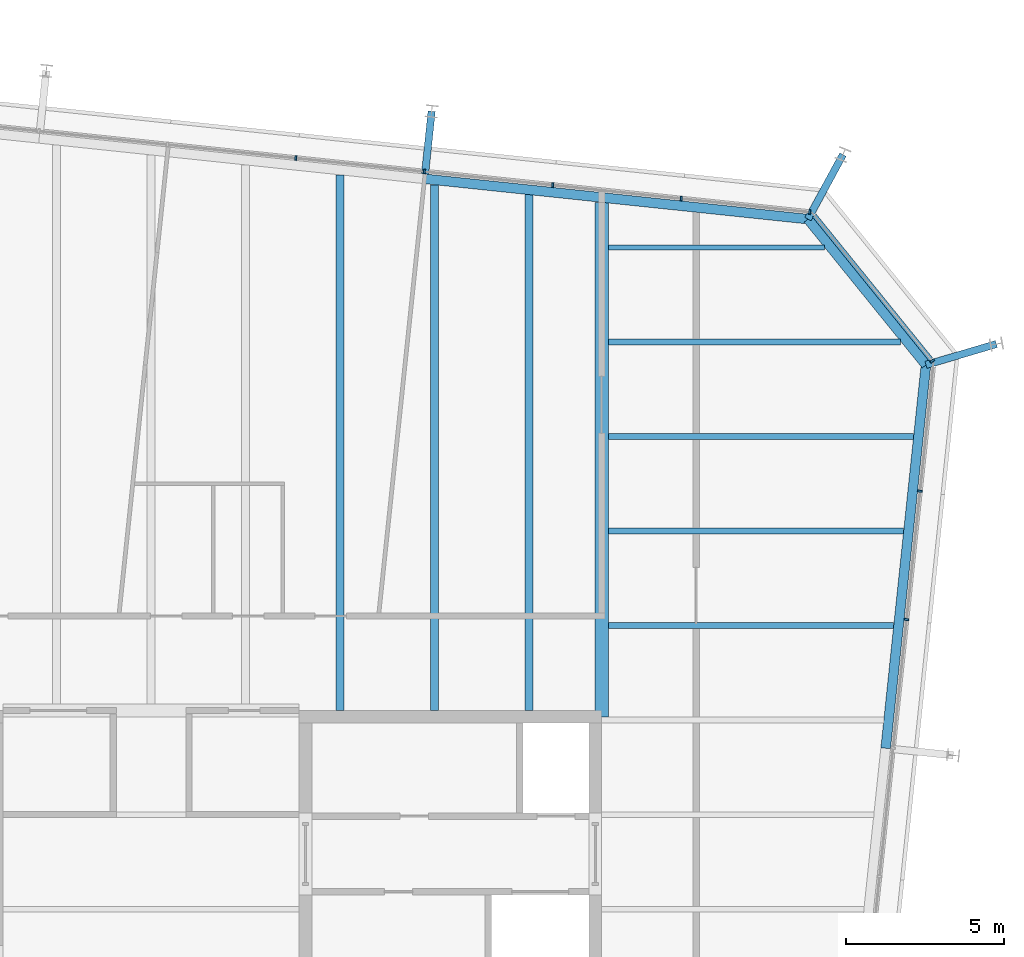
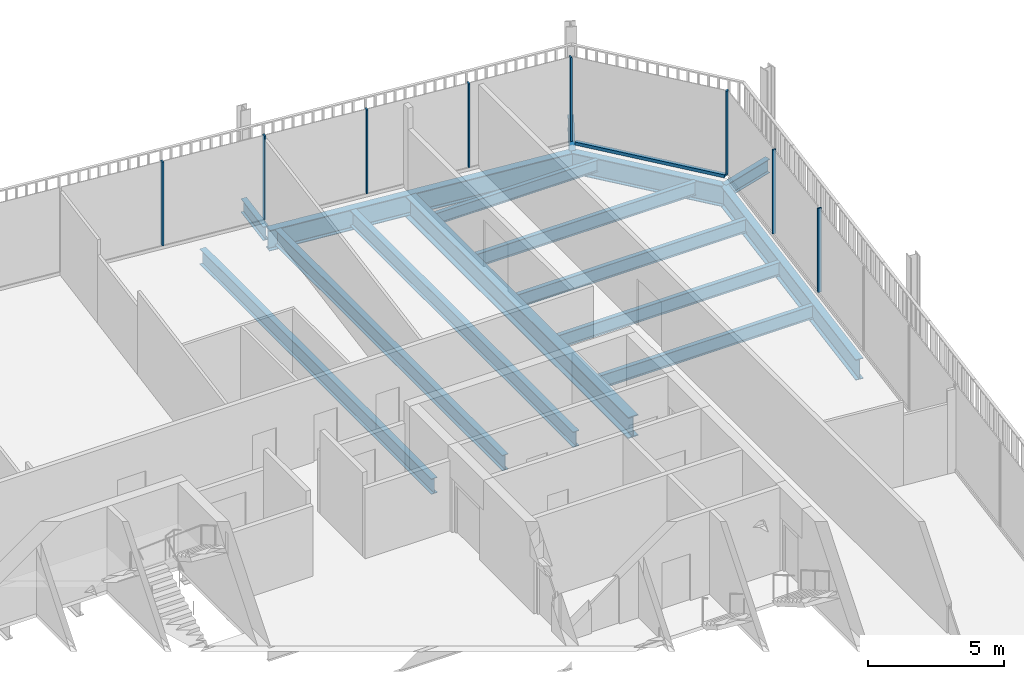
# One storey, part 14 of 20: 15 beams, 9 members, 3 elements without a shape of their own.
"""IFC4 building model written with IfcOpenShell, lengths in metres."""

import ifcopenshell
import ifcopenshell.guid

model = None  # the IFC model being written
_history = None  # IfcOwnerHistory: only IFC2X3 demands one
_inside = {}  # id of a spatial element -> (the spatial element, [elements in it])
_under = {}  # id of a project, library or spatial element -> (it, [spatial elements below it])
_declared = {}  # id of a project -> (the project, [libraries it declares])
_typed = {}  # id of a type object -> (the type object, [elements of that type])
_made_of = {}  # id of a material, layer set ... -> (it, [elements and type objects made of it])


def new_model(schema):
    """Start an empty IFC model of exactly this schema.

    Asked for "IFC4X3", IfcOpenShell would pick the latest addendum, in which some entities
    have other attributes; the version numbers below select the first issue.
    IFC2X3 requires an IfcOwnerHistory on every rooted entity: one is made here for all.
    """
    global model, _history
    if schema == "IFC4X3":
        model = ifcopenshell.file(schema_version=(4, 3, 0, 0))
    else:
        model = ifcopenshell.file(schema=schema)
    _inside.clear()
    _under.clear()
    _declared.clear()
    _typed.clear()
    _made_of.clear()
    _history = None
    if model.schema == "IFC2X3":
        org = make("IfcOrganization", Name="unknown")
        user = make(
            "IfcPersonAndOrganization",
            ThePerson=make("IfcPerson", FamilyName="unknown"),
            TheOrganization=org,
        )
        app = make(
            "IfcApplication",
            ApplicationDeveloper=org,
            Version="unknown",
            ApplicationFullName="unknown",
            ApplicationIdentifier="unknown",
        )
        _history = make(
            "IfcOwnerHistory",
            OwningUser=user,
            OwningApplication=app,
            ChangeAction="ADDED",
            CreationDate=0,
        )
    return model


def make(cls, **values):
    """One entity of the class cls with the attributes given. An attribute that is None is left unset."""
    return model.create_entity(
        cls, **{name: value for name, value in values.items() if value is not None}
    )


def rooted(cls, **values):
    """An entity with a GlobalId (a new one), such as an element, a storey or a relation."""
    return make(cls, GlobalId=ifcopenshell.guid.new(), OwnerHistory=_history, **values)


def si_unit(unit_type, name, prefix=None):
    """IfcSIUnit, for example si_unit("LENGTHUNIT", "METRE", prefix="MILLI")."""
    return make("IfcSIUnit", UnitType=unit_type, Prefix=prefix, Name=name)


def assignment(units):
    """IfcUnitAssignment: the units of a project."""
    return None if units is None else make("IfcUnitAssignment", Units=units)


def point(xyz):
    """IfcCartesianPoint."""
    return None if xyz is None else make("IfcCartesianPoint", Coordinates=xyz)


def direction(xyz):
    """IfcDirection."""
    return None if xyz is None else make("IfcDirection", DirectionRatios=xyz)


def frame(location, z_axis=None, x_axis=None):
    """IfcAxis2Placement3D, a coordinate frame: its origin and axes. An axis left out is left unset."""
    return make(
        "IfcAxis2Placement3D",
        Location=point(location),
        Axis=direction(z_axis),
        RefDirection=direction(x_axis),
    )


def frame_2d(location, x_axis=None):
    """IfcAxis2Placement2D, a coordinate frame in the plane: its origin and x axis."""
    return make(
        "IfcAxis2Placement2D", Location=point(location), RefDirection=direction(x_axis)
    )


def origin():
    """The frame at (0, 0, 0) with its axes left unset."""
    return frame((0.0, 0.0, 0.0))


def origin_2d():
    """The frame at (0, 0) in the plane with its x axis left unset."""
    return frame_2d((0.0, 0.0))


def place(relative_to, where):
    """IfcLocalPlacement: puts the frame where relative to a parent placement (None: the world)."""
    return make(
        "IfcLocalPlacement", PlacementRelTo=relative_to, RelativePlacement=where
    )


def context(
    kind, dimensions, precision=None, world=None, true_north=None, identifier=None
):
    """IfcGeometricRepresentationContext, for example the 3D "Model" context."""
    return make(
        "IfcGeometricRepresentationContext",
        ContextIdentifier=identifier,
        ContextType=kind,
        CoordinateSpaceDimension=dimensions,
        Precision=precision,
        WorldCoordinateSystem=world,
        TrueNorth=true_north,
    )


def subcontext(parent, identifier, kind, view, scale=None):
    """IfcGeometricRepresentationSubContext, for example "Body" below "Model"."""
    return make(
        "IfcGeometricRepresentationSubContext",
        ContextIdentifier=identifier,
        ContextType=kind,
        ParentContext=parent,
        TargetScale=scale,
        TargetView=view,
    )


def project(units=None, contexts=None):
    """IfcProject with its units and contexts."""
    return rooted(
        "IfcProject",
        Name="project",
        RepresentationContexts=contexts,
        UnitsInContext=assignment(units),
    )


def spatial(cls, under=None, at=None, **own):
    """A site, building, storey or space (cls), placed at a placement, below another one or the project."""
    s = rooted(cls, ObjectPlacement=at, **own)
    if under is not None:
        _under.setdefault(under.id(), (under, []))[1].append(s)
    return s


def profile(cls, at=None, kind="AREA", **sizes):
    """A parametric profile (cls). Its sizes go by their IFC names, for example OverallWidth=200.0."""
    return make(cls, ProfileType=kind, Position=at, **sizes)


def rectangle(**sizes):
    """IfcRectangleProfileDef."""
    return profile("IfcRectangleProfileDef", **sizes)


def i_section(**sizes):
    """IfcIShapeProfileDef."""
    return profile("IfcIShapeProfileDef", **sizes)


def extrude(swept, where, along, depth):
    """IfcExtrudedAreaSolid: the profile swept, set in the frame where, extruded along a direction by depth."""
    return make(
        "IfcExtrudedAreaSolid",
        SweptArea=swept,
        Position=where,
        ExtrudedDirection=direction(along),
        Depth=depth,
    )


def shape(context_of_items, identifier, shape_type, items):
    """IfcShapeRepresentation: the items that make up one representation, for example the "Body"."""
    return make(
        "IfcShapeRepresentation",
        ContextOfItems=context_of_items,
        RepresentationIdentifier=identifier,
        RepresentationType=shape_type,
        Items=items,
    )


def material(Name=None, Category=None):
    """IfcMaterial."""
    return make("IfcMaterial", Name=Name, Category=Category)


def layer(
    of_material, thickness, ventilated=None, Name=None, Category=None, Priority=None
):
    """IfcMaterialLayer: one layer of a wall or slab, of a material (None: an air gap)."""
    return make(
        "IfcMaterialLayer",
        Material=of_material,
        LayerThickness=thickness,
        IsVentilated=ventilated,
        Name=Name,
        Category=Category,
        Priority=Priority,
    )


def layer_set(layers, Name=None):
    """IfcMaterialLayerSet."""
    return make("IfcMaterialLayerSet", MaterialLayers=layers, LayerSetName=Name)


def material_profile(
    of_material, cross_section, Name=None, Category=None, Priority=None
):
    """IfcMaterialProfile: a cross section and its material."""
    return make(
        "IfcMaterialProfile",
        Name=Name,
        Material=of_material,
        Profile=cross_section,
        Priority=Priority,
        Category=Category,
    )


def profile_set(profiles, Name=None, composite=None):
    """IfcMaterialProfileSet."""
    return make(
        "IfcMaterialProfileSet",
        Name=Name,
        MaterialProfiles=profiles,
        CompositeProfile=composite,
    )


def made_of(thing, what):
    """Note that an element or type object is made of a material, layer set ...; save() writes the relation."""
    if what is not None:
        _made_of.setdefault(what.id(), (what, []))[1].append(thing)
    return thing


def type_object(cls, material=None, **own):
    """A type object (cls), such as IfcWallType, which elements share."""
    return made_of(rooted(cls, **own), material)


def element(
    cls,
    number,
    at=None,
    inside=None,
    cuts=None,
    type_object=None,
    material=None,
    context=None,
    identifier="Body",
    shape_type=None,
    held_by="IfcProductDefinitionShape",
    body=None,
    shapes=None,
    **own,
):
    """One element of the class cls, such as IfcWall. Its Tag is "e" and its number.

    at: its placement. inside: the storey or other place that contains it. cuts: it is an
    opening in that element (IfcRelVoidsElement). A single representation is given by context,
    identifier, shape_type and body (its items); several are given by shapes. held_by: the class
    of the entity that holds the representations. save() writes the other relations.
    """
    e = rooted(cls, Tag="e%d" % number, ObjectPlacement=at, **own)
    if body is not None:
        shapes = [shape(context, identifier, shape_type, body)]
    if shapes is not None:
        e.Representation = make(held_by, Representations=shapes)
    if inside is not None:
        _inside.setdefault(inside.id(), (inside, []))[1].append(e)
    if cuts is not None:
        rooted(
            "IfcRelVoidsElement", RelatingBuildingElement=cuts, RelatedOpeningElement=e
        )
    if type_object is not None:
        _typed.setdefault(type_object.id(), (type_object, []))[1].append(e)
    return made_of(e, material)


def aggregate(whole, parts):
    """IfcRelAggregates: a whole, such as a stair, and the parts it consists of."""
    return rooted("IfcRelAggregates", RelatingObject=whole, RelatedObjects=parts)


def save(model, path):
    """Write the relations noted so far, then the file.

    IfcRelAggregates (storeys below a building ...), IfcRelContainedInSpatialStructure (elements
    in a storey), IfcRelDefinesByType, IfcRelAssociatesMaterial and IfcRelDeclares: one each for
    every whole, place, type object, material and project.
    """
    for whole, parts in _under.values():
        aggregate(whole, parts)
    for where, things in _inside.values():
        rooted(
            "IfcRelContainedInSpatialStructure",
            RelatedElements=things,
            RelatingStructure=where,
        )
    for kind, things in _typed.values():
        rooted("IfcRelDefinesByType", RelatedObjects=things, RelatingType=kind)
    for what, things in _made_of.values():
        rooted("IfcRelAssociatesMaterial", RelatedObjects=things, RelatingMaterial=what)
    for by, libraries in _declared.values():
        rooted("IfcRelDeclares", RelatingContext=by, RelatedDefinitions=libraries)
    model.write(path)


model = new_model("IFC4")

# Units and contexts
model_context = context("Model", 3, precision=1e-05, world=origin(), true_north=direction((0.0, 1.0)))
body_context = subcontext(model_context, "Body", "Model", "MODEL_VIEW")
ifc_project = project(units=[si_unit("LENGTHUNIT", "METRE"), si_unit("AREAUNIT", "SQUARE_METRE"), si_unit("VOLUMEUNIT", "CUBIC_METRE"), si_unit("PLANEANGLEUNIT", "RADIAN"), si_unit("MASSUNIT", "GRAM", prefix="KILO")], contexts=[model_context])

# Site, building, storey
site_placement = place(None, origin())
site = spatial("IfcSite", under=ifc_project, at=site_placement, CompositionType="ELEMENT")
building_placement = place(site_placement, origin())
building = spatial("IfcBuilding", under=site, at=building_placement, Name="Millrace Tower", CompositionType="ELEMENT")
storey_placement = place(building_placement, frame((0.0, 0.0, 279.89990234375)))
storey = spatial("IfcBuildingStorey", under=building, at=storey_placement, Name="L64", CompositionType="ELEMENT", Elevation=279.89990234375)

# Curtain wall, members
ifc_material_1 = material(Name="Aluminium and glass", Category="aluminium")
ifc_layer = layer(ifc_material_1, 0.14990234375)
ifc_layer_set = layer_set([ifc_layer], Name="Aluminium and glass")
curtain_wall_type = type_object("IfcCurtainWallType", Name="CW-1 office vision curtain wall", PredefinedType="NOTDEFINED", material=ifc_layer_set)
placement = place(storey_placement, origin())
curtain_wall_1 = element("IfcCurtainWall", 1, at=placement, inside=storey, type_object=curtain_wall_type, Name="Curtain wall E-F04 L64", PredefinedType="NOTDEFINED")
ifc_material_2 = material(Name="Aluminium", Category="aluminium")
ifc_material_profile_1 = material_profile(ifc_material_2, rectangle(XDim=0.06494140625, YDim=0.14990234375, at=origin_2d()))
ifc_profile_set_1 = profile_set([ifc_material_profile_1], Name="Aluminium")
member_type_1 = type_object("IfcMemberType", Name="CW-1 office vision curtain wall mullion", PredefinedType="MULLION", material=ifc_profile_set_1)
member_1_placement = place(storey_placement, frame((23.974853515625, 12.1904296875, 0.14013671875), z_axis=(0.0, 0.0, 1.0), x_axis=(0.104528455196, 0.994521896217, 0.0)))
member_1 = element("IfcMember", 2, at=member_1_placement, type_object=member_type_1, Name="CW1 mullion E-F04.8", PredefinedType="MULLION", context=body_context, shape_type="SweptSolid", body=[
    extrude(rectangle(XDim=0.06494140625, YDim=0.14990234375, at=origin_2d()), origin(), (0.0, 0.0, 1.0), 3.760009765625),
])
member_2_placement = place(storey_placement, frame((24.4033203125, 16.267822265625, 0.14013671875), z_axis=(0.0, 0.0, 1.0), x_axis=(0.104528455196, 0.994521896217, 0.0)))
member_2 = element("IfcMember", 3, at=member_2_placement, type_object=member_type_1, Name="CW1 mullion E-F04.9", PredefinedType="MULLION", context=body_context, shape_type="SweptSolid", body=[
    extrude(rectangle(XDim=0.06494140625, YDim=0.14990234375, at=origin_2d()), origin(), (0.0, 0.0, 1.0), 3.760009765625),
])
aggregate(curtain_wall_1, [member_1, member_2])

# Curtain wall, member
curtain_wall_2 = element("IfcCurtainWall", 4, at=placement, inside=storey, type_object=curtain_wall_type, Name="Curtain wall E-F05 L64", PredefinedType="NOTDEFINED")
member_3_placement = place(storey_placement, frame((24.791748046875, 20.393310546875, 0.14013671875), z_axis=(0.0, 0.0, 1.0), x_axis=(-0.629320278945, 0.777146052237, 0.0)))
member_3 = element("IfcMember", 5, at=member_3_placement, type_object=member_type_1, Name="CW1 mullion E-F05.1", PredefinedType="MULLION", context=body_context, shape_type="SweptSolid", body=[
    extrude(rectangle(XDim=0.06494140625, YDim=0.14990234375, at=origin_2d()), origin(), (0.0, 0.0, 1.0), 3.760009765625),
])

# Curtain wall, members
curtain_wall_3 = element("IfcCurtainWall", 6, at=placement, inside=storey, type_object=curtain_wall_type, Name="Curtain wall E-F06 L64", PredefinedType="NOTDEFINED")
member_4_placement = place(storey_placement, frame((20.902587890625, 25.124755859375, 0.14013671875), z_axis=(0.0, 0.0, 1.0), x_axis=(-0.994521896217, 0.104528455196, 0.0)))
member_4 = element("IfcMember", 7, at=member_4_placement, type_object=member_type_1, Name="CW1 mullion E-F06.1", PredefinedType="MULLION", context=body_context, shape_type="SweptSolid", body=[
    extrude(rectangle(XDim=0.06494140625, YDim=0.14990234375, at=origin_2d()), origin(), (0.0, 0.0, 1.0), 3.760009765625),
])
member_5_placement = place(storey_placement, frame((16.824951171875, 25.553466796875, 0.14013671875), z_axis=(0.0, 0.0, 1.0), x_axis=(-0.994521896217, 0.104528455196, 0.0)))
member_5 = element("IfcMember", 8, at=member_5_placement, type_object=member_type_1, Name="CW1 mullion E-F06.2", PredefinedType="MULLION", context=body_context, shape_type="SweptSolid", body=[
    extrude(rectangle(XDim=0.06494140625, YDim=0.14990234375, at=origin_2d()), origin(), (0.0, 0.0, 1.0), 3.760009765625),
])
member_6_placement = place(storey_placement, frame((12.747314453125, 25.98193359375, 0.14013671875), z_axis=(0.0, 0.0, 1.0), x_axis=(-0.994521896217, 0.104528455196, 0.0)))
member_6 = element("IfcMember", 9, at=member_6_placement, type_object=member_type_1, Name="CW1 mullion E-F06.3", PredefinedType="MULLION", context=body_context, shape_type="SweptSolid", body=[
    extrude(rectangle(XDim=0.06494140625, YDim=0.14990234375, at=origin_2d()), origin(), (0.0, 0.0, 1.0), 3.760009765625),
])
member_7_placement = place(storey_placement, frame((8.669921875, 26.410400390625, 0.14013671875), z_axis=(0.0, 0.0, 1.0), x_axis=(-0.994521896217, 0.104528455196, 0.0)))
member_7 = element("IfcMember", 10, at=member_7_placement, type_object=member_type_1, Name="CW1 mullion E-F06.4", PredefinedType="MULLION", context=body_context, shape_type="SweptSolid", body=[
    extrude(rectangle(XDim=0.06494140625, YDim=0.14990234375, at=origin_2d()), origin(), (0.0, 0.0, 1.0), 3.760009765625),
])
member_8_placement = place(storey_placement, frame((4.59228515625, 26.839111328125, 0.14013671875), z_axis=(0.0, 0.0, 1.0), x_axis=(-0.994521896217, 0.104528455196, 0.0)))
member_8 = element("IfcMember", 11, at=member_8_placement, type_object=member_type_1, Name="CW1 mullion E-F06.5", PredefinedType="MULLION", context=body_context, shape_type="SweptSolid", body=[
    extrude(rectangle(XDim=0.06494140625, YDim=0.14990234375, at=origin_2d()), origin(), (0.0, 0.0, 1.0), 3.760009765625),
])
aggregate(curtain_wall_3, [member_4, member_5, member_6, member_7, member_8])

# Member
ifc_material_3 = material(Name="Aluminium", Category="aluminium")
ifc_material_profile_2 = material_profile(ifc_material_3, rectangle(XDim=0.14990234375, YDim=0.139892578125, at=origin_2d()))
ifc_profile_set_2 = profile_set([ifc_material_profile_2], Name="Aluminium")
member_type_2 = type_object("IfcMemberType", Name="CW-1 office vision curtain wall transom", PredefinedType="USERDEFINED", material=ifc_profile_set_2)
member_9_placement = place(storey_placement, frame((24.749267578125, 20.44580078125, 0.070068359375), z_axis=(-0.629321221277, 0.777145289151, 0.0), x_axis=(-0.777145289151, -0.629321221277, 0.0)))
member_9 = element("IfcMember", 12, at=member_9_placement, type_object=member_type_2, Name="CW1 transom E-F05.1", ObjectType="TRANSOM", PredefinedType="USERDEFINED", context=body_context, shape_type="SweptSolid", body=[
    extrude(rectangle(XDim=0.14990234375, YDim=0.139892578125, at=origin_2d()), origin(), (0.0, 0.0, 1.0), 5.881103515625),
])

aggregate(curtain_wall_2, [member_3, member_9])

# Beams
ifc_material_4 = material(Name="Steel ASTM A992 Grade 50", Category="steel")
ifc_material_profile_3 = material_profile(ifc_material_4, i_section(OverallWidth=0.1650390625, OverallDepth=0.52587890625, WebThickness=0.0087890625, FlangeThickness=0.011474609375, FilletRadius=0.0126953125, at=origin_2d()))
ifc_profile_set_3 = profile_set([ifc_material_profile_3], Name="Steel ASTM A992 Grade 50")
beam_type_1 = type_object("IfcBeamType", Name="Floor beam W21x44", PredefinedType="JOIST", material=ifc_profile_set_3)
beam_1_placement = place(storey_placement, frame((14.509521484375, 24.0, -0.4228515625), z_axis=(1.0, 0.0, 0.0), x_axis=(0.0, 1.0, 0.0)))
element("IfcBeam", 13, at=beam_1_placement, inside=storey, type_object=beam_type_1, Name="BM-E-L64-S1-S034", PredefinedType="JOIST", context=body_context, shape_type="SweptSolid", body=[
    extrude(i_section(OverallWidth=0.1650390625, OverallDepth=0.52587890625, WebThickness=0.0087890625, FlangeThickness=0.011474609375, FilletRadius=0.0126953125, at=origin_2d()), origin(), (0.0, 0.0, 1.0), 6.861572265625),
])
ifc_material_5 = material(Name="Steel ASTM A992 Grade 50", Category="steel")
ifc_material_profile_4 = material_profile(ifc_material_5, i_section(OverallWidth=0.177978515625, OverallDepth=0.599365234375, WebThickness=0.010009765625, FlangeThickness=0.012939453125, FilletRadius=0.012939453125, at=origin_2d()))
ifc_profile_set_4 = profile_set([ifc_material_profile_4], Name="Steel ASTM A992 Grade 50")
beam_type_2 = type_object("IfcBeamType", Name="Floor beam W24x55", PredefinedType="JOIST", material=ifc_profile_set_4)
beam_2_placement = place(storey_placement, frame((14.509521484375, 12.0, -0.459716796875), z_axis=(1.0, 0.0, 0.0), x_axis=(0.0, 1.0, 0.0)))
element("IfcBeam", 14, at=beam_2_placement, inside=storey, type_object=beam_type_2, Name="BM-E-L64-S1-S026", PredefinedType="JOIST", context=body_context, shape_type="SweptSolid", body=[
    extrude(i_section(OverallWidth=0.177978515625, OverallDepth=0.599365234375, WebThickness=0.010009765625, FlangeThickness=0.012939453125, FilletRadius=0.012939453125, at=origin_2d()), origin(), (0.0, 0.0, 1.0), 9.060791015625),
])
beam_3_placement = place(storey_placement, frame((14.509521484375, 15.0, -0.459716796875), z_axis=(1.0, 0.0, 0.0), x_axis=(0.0, 1.0, 0.0)))
element("IfcBeam", 15, at=beam_3_placement, inside=storey, type_object=beam_type_2, Name="BM-E-L64-S1-S028", PredefinedType="JOIST", context=body_context, shape_type="SweptSolid", body=[
    extrude(i_section(OverallWidth=0.177978515625, OverallDepth=0.599365234375, WebThickness=0.010009765625, FlangeThickness=0.012939453125, FilletRadius=0.012939453125, at=origin_2d()), origin(), (0.0, 0.0, 1.0), 9.376220703125),
])
beam_4_placement = place(storey_placement, frame((14.509521484375, 18.0, -0.459716796875), z_axis=(1.0, 0.0, 0.0), x_axis=(0.0, 1.0, 0.0)))
element("IfcBeam", 16, at=beam_4_placement, inside=storey, type_object=beam_type_2, Name="BM-E-L64-S1-S030", PredefinedType="JOIST", context=body_context, shape_type="SweptSolid", body=[
    extrude(i_section(OverallWidth=0.177978515625, OverallDepth=0.599365234375, WebThickness=0.010009765625, FlangeThickness=0.012939453125, FilletRadius=0.012939453125, at=origin_2d()), origin(), (0.0, 0.0, 1.0), 9.69140625),
])
beam_5_placement = place(storey_placement, frame((14.509521484375, 21.0, -0.459716796875), z_axis=(1.0, 0.0, 0.0), x_axis=(0.0, 1.0, 0.0)))
element("IfcBeam", 17, at=beam_5_placement, inside=storey, type_object=beam_type_2, Name="BM-E-L64-S1-S032", PredefinedType="JOIST", context=body_context, shape_type="SweptSolid", body=[
    extrude(i_section(OverallWidth=0.177978515625, OverallDepth=0.599365234375, WebThickness=0.010009765625, FlangeThickness=0.012939453125, FilletRadius=0.012939453125, at=origin_2d()), origin(), (0.0, 0.0, 1.0), 9.282958984375),
])
ifc_material_6 = material(Name="Steel ASTM A992 Grade 50", Category="steel")
ifc_material_profile_5 = material_profile(ifc_material_6, i_section(OverallWidth=0.256591796875, OverallDepth=0.693359375, WebThickness=0.014404296875, FlangeThickness=0.023681640625, FilletRadius=0.01513671875, at=origin_2d()))
ifc_profile_set_5 = profile_set([ifc_material_profile_5], Name="Steel ASTM A992 Grade 50")
beam_type_3 = type_object("IfcBeamType", Name="Floor beam W27x114", PredefinedType="JOIST", material=ifc_profile_set_5)
beam_6_placement = place(storey_placement, frame((6.0, 9.300048828125, -0.506591796875), z_axis=(0.0, 1.0, 0.0), x_axis=(-1.0, 0.0, 0.0)))
element("IfcBeam", 18, at=beam_6_placement, inside=storey, type_object=beam_type_3, Name="BM-E-L64-S1-S048", PredefinedType="JOIST", context=body_context, shape_type="SweptSolid", body=[
    extrude(i_section(OverallWidth=0.256591796875, OverallDepth=0.693359375, WebThickness=0.014404296875, FlangeThickness=0.023681640625, FilletRadius=0.01513671875, at=origin_2d()), origin(), (0.0, 0.0, 1.0), 17.006591796875),
])
beam_7_placement = place(storey_placement, frame((9.0, 9.300048828125, -0.506591796875), z_axis=(0.0, 1.0, 0.0), x_axis=(-1.0, 0.0, 0.0)))
element("IfcBeam", 19, at=beam_7_placement, inside=storey, type_object=beam_type_3, Name="BM-E-L64-S1-S050", PredefinedType="JOIST", context=body_context, shape_type="SweptSolid", body=[
    extrude(i_section(OverallWidth=0.256591796875, OverallDepth=0.693359375, WebThickness=0.014404296875, FlangeThickness=0.023681640625, FilletRadius=0.01513671875, at=origin_2d()), origin(), (0.0, 0.0, 1.0), 16.69140625),
])
beam_8_placement = place(storey_placement, frame((12.0, 9.300048828125, -0.506591796875), z_axis=(0.0, 1.0, 0.0), x_axis=(-1.0, 0.0, 0.0)))
element("IfcBeam", 20, at=beam_8_placement, inside=storey, type_object=beam_type_3, Name="BM-E-L64-S1-S052", PredefinedType="JOIST", context=body_context, shape_type="SweptSolid", body=[
    extrude(i_section(OverallWidth=0.256591796875, OverallDepth=0.693359375, WebThickness=0.014404296875, FlangeThickness=0.023681640625, FilletRadius=0.01513671875, at=origin_2d()), origin(), (0.0, 0.0, 1.0), 16.3759765625),
])
ifc_material_7 = material(Name="Steel ASTM A992 Grade 50", Category="steel")
ifc_material_profile_6 = material_profile(ifc_material_7, i_section(OverallWidth=0.424072265625, OverallDepth=0.947509765625, WebThickness=0.02392578125, FlangeThickness=0.042724609375, FilletRadius=0.024169921875, at=origin_2d()))
ifc_profile_set_6 = profile_set([ifc_material_profile_6], Name="Steel ASTM A992 Grade 50")
beam_type_4 = type_object("IfcBeamType", Name="Girder medium span W36x302", PredefinedType="BEAM", material=ifc_profile_set_6)
beam_9_placement = place(storey_placement, frame((14.300048828125, 9.092041015625, -0.633544921875), z_axis=(0.0, 1.0, 0.0), x_axis=(-1.0, 0.0, 0.0)))
element("IfcBeam", 21, at=beam_9_placement, inside=storey, type_object=beam_type_4, Name="BM-E-L64-S1-G056", PredefinedType="BEAM", context=body_context, shape_type="SweptSolid", body=[
    extrude(i_section(OverallWidth=0.424072265625, OverallDepth=0.947509765625, WebThickness=0.02392578125, FlangeThickness=0.042724609375, FilletRadius=0.024169921875, at=origin_2d()), origin(), (0.0, 0.0, 1.0), 16.34228515625),
])
ifc_material_8 = material(Name="Steel ASTM A992 Grade 50", Category="steel")
ifc_material_profile_7 = material_profile(ifc_material_8, i_section(OverallWidth=0.23046875, OverallDepth=0.6171875, WebThickness=0.01318359375, FlangeThickness=0.022216796875, FilletRadius=0.012939453125, at=origin_2d()))
ifc_profile_set_7 = profile_set([ifc_material_profile_7], Name="Steel ASTM A992 Grade 50")
beam_type_5 = type_object("IfcBeamType", Name="Link beam W24x94", PredefinedType="BEAM", material=ifc_profile_set_7)
beam_10_placement = place(storey_placement, frame((8.6943359375, 26.33251953125, -0.468505859375), z_axis=(0.104494148666, 0.99452550138, 0.0), x_axis=(-0.99452550138, 0.104494148666, 0.0)))
element("IfcBeam", 22, at=beam_10_placement, inside=storey, type_object=beam_type_5, Name="LNK-E-L64-S1-07", PredefinedType="BEAM", context=body_context, shape_type="SweptSolid", body=[
    extrude(i_section(OverallWidth=0.23046875, OverallDepth=0.6171875, WebThickness=0.01318359375, FlangeThickness=0.022216796875, FilletRadius=0.012939453125, at=origin_2d()), origin(), (0.0, 0.0, 1.0), 2.0),
])
for number, where, z_axis, x_axis, name in (
    (23, (20.84765625, 24.900634765625, -0.468505859375), (0.477163510307, 0.87881453358, 0.0), (-0.87881453358, 0.477163510307, 0.0), "LNK-E-L64-S1-08"),
    (24, (24.594482421875, 20.273681640625, -0.468505859375), (0.958815015936, 0.284031275065, 0.0), (-0.284031275065, 0.958815015936, 0.0), "LNK-E-L64-S1-09"),
):
    element("IfcBeam", number, at=place(storey_placement, frame(where, z_axis=z_axis, x_axis=x_axis)), inside=storey, type_object=beam_type_5, Name=name, PredefinedType="BEAM", context=body_context, shape_type="SweptSolid", body=[
        extrude(i_section(OverallWidth=0.23046875, OverallDepth=0.6171875, WebThickness=0.01318359375, FlangeThickness=0.022216796875, FilletRadius=0.012939453125, at=origin_2d()), origin(), (0.0, 0.0, 1.0), 2.3310546875),
    ])
ifc_material_9 = material(Name="Steel ASTM A992 Grade 50", Category="steel")
ifc_material_profile_8 = material_profile(ifc_material_9, i_section(OverallWidth=0.307373046875, OverallDepth=0.927001953125, WebThickness=0.01953125, FlangeThickness=0.031982421875, FilletRadius=0.01904296875, at=origin_2d()))
ifc_profile_set_8 = profile_set([ifc_material_profile_8], Name="Steel ASTM A992 Grade 50")
beam_type_6 = type_object("IfcBeamType", Name="Ring beam medium span W36x194", PredefinedType="SPANDREL", material=ifc_profile_set_8)
for number, where, z_axis, x_axis, name in (
    (25, (8.67822265625, 26.1796875, -0.62353515625), (0.994521948696, -0.104527955888, 0.0), (0.104527955888, 0.994521948696, 0.0), "RNG-E-L64-S1-07"),
    (26, (24.594482421875, 20.273681640625, -0.62353515625), (-0.104527955888, -0.994521948696, 0.0), (0.994521948696, -0.104527955888, 0.0), "RNG-E-L64-S1-09"),
):
    element("IfcBeam", number, at=place(storey_placement, frame(where, z_axis=z_axis, x_axis=x_axis)), inside=storey, type_object=beam_type_6, Name=name, PredefinedType="SPANDREL", context=body_context, shape_type="SweptSolid", body=[
        extrude(i_section(OverallWidth=0.307373046875, OverallDepth=0.927001953125, WebThickness=0.01953125, FlangeThickness=0.031982421875, FilletRadius=0.01904296875, at=origin_2d()), origin(), (0.0, 0.0, 1.0), 12.236572265625),
    ])
ifc_material_10 = material(Name="Steel ASTM A992 Grade 50", Category="steel")
ifc_material_profile_9 = material_profile(ifc_material_10, i_section(OverallWidth=0.307373046875, OverallDepth=0.927001953125, WebThickness=0.01953125, FlangeThickness=0.031982421875, FilletRadius=0.01904296875, at=origin_2d()))
ifc_profile_set_9 = profile_set([ifc_material_profile_9], Name="Steel ASTM A992 Grade 50")
beam_type_7 = type_object("IfcBeamType", Name="Ring beam short span W36x194", PredefinedType="SPANDREL", material=ifc_profile_set_9)
beam_11_placement = place(storey_placement, frame((20.84765625, 24.900634765625, -0.62353515625), z_axis=(0.629319722443, -0.777146502883, 0.0), x_axis=(0.777146502883, 0.629319722443, 0.0)))
element("IfcBeam", 27, at=beam_11_placement, inside=storey, type_object=beam_type_7, Name="RNG-E-L64-S1-08", PredefinedType="SPANDREL", context=body_context, shape_type="SweptSolid", body=[
    extrude(i_section(OverallWidth=0.307373046875, OverallDepth=0.927001953125, WebThickness=0.01953125, FlangeThickness=0.031982421875, FilletRadius=0.01904296875, at=origin_2d()), origin(), (0.0, 0.0, 1.0), 5.953857421875),
])

save(model, "model.ifc")
